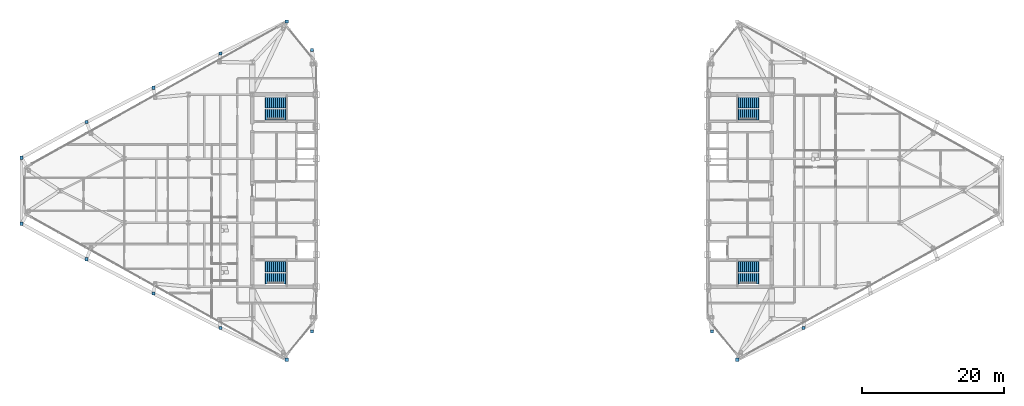
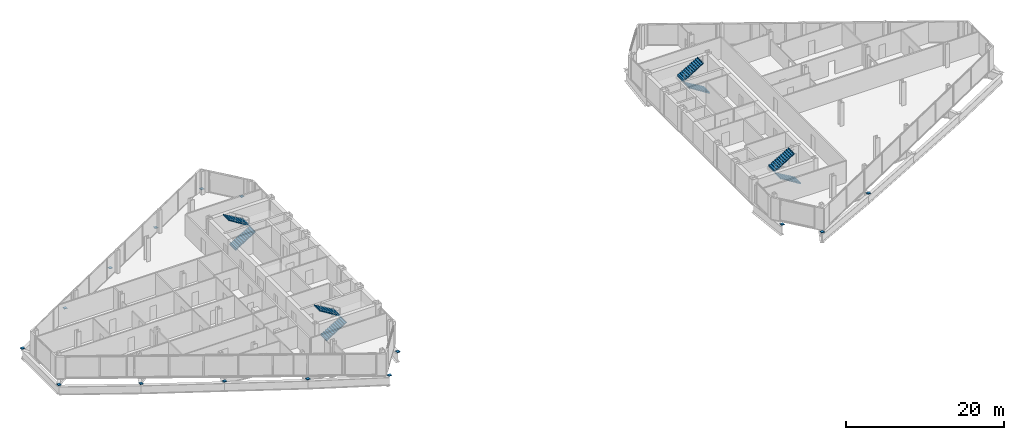
# One storey, part 25 of 28: 15 discrete accessories, 8 stair flights, 4 elements without a shape of their own.
"""IFC4 building model written with IfcOpenShell, lengths in metres."""

from ifc_helpers import new_model, si_unit, direction, frame, origin, origin_2d, place, context, subcontext, project, spatial, polyline, rectangle, outline, extrude, source, transform, mapped, material, type_object, type_shapes, element, aggregate, save


model = new_model("IFC4")

# Units and contexts
model_context = context("Model", 3, precision=1e-05, world=origin(), true_north=direction((0.0, 1.0)))
body_context = subcontext(model_context, "Body", "Model", "MODEL_VIEW")
ifc_project = project(units=[si_unit("LENGTHUNIT", "METRE"), si_unit("AREAUNIT", "SQUARE_METRE"), si_unit("VOLUMEUNIT", "CUBIC_METRE"), si_unit("PLANEANGLEUNIT", "RADIAN"), si_unit("MASSUNIT", "GRAM", prefix="KILO")], contexts=[model_context])

# Site, building, storey
site_placement = place(None, origin())
site = spatial("IfcSite", under=ifc_project, at=site_placement, CompositionType="ELEMENT")
building_placement = place(site_placement, origin())
building = spatial("IfcBuilding", under=site, at=building_placement, Name="Seokmaru Belvedere", CompositionType="ELEMENT")
storey_placement = place(building_placement, frame((0.0, 0.0, 158.39990234375)))
storey = spatial("IfcBuildingStorey", under=building, at=storey_placement, Name="L42", CompositionType="ELEMENT", Elevation=158.39990234375)

# Stair, stair flights
ifc_material_1 = material(Name="Concrete C40 (40 MPa)", Category="concrete")
stair_type = type_object("IfcStairType", Name="Typical Tower Core Dog-Leg Stair 3600", PredefinedType="TWO_STRAIGHT_RUN_STAIR", material=ifc_material_1)
stair_1_placement = place(storey_placement, origin())
stair_1 = element("IfcStair", 1, at=stair_1_placement, inside=storey, type_object=stair_type, Name="L42 Special Escape Stair ST-W1", PredefinedType="TWO_STRAIGHT_RUN_STAIR")
stair_flight_type = type_object("IfcStairFlightType", Name="Reinforced Concrete Stair Flight 1500", PredefinedType="STRAIGHT", material=ifc_material_1)
stair_flight_1_placement = place(storey_placement, frame((-34.60009765625, -12.35009765625, 0.0), z_axis=(0.0, 0.0, 1.0), x_axis=(1.0, 0.0, 0.0)))
stair_flight_1 = element("IfcStairFlight", 2, at=stair_flight_1_placement, type_object=stair_flight_type, Name="ST-W1 flight 1", NumberOfRisers=11, NumberOfTreads=10, PredefinedType="STRAIGHT", RiserHeight=0.163636364, TreadLength=0.28, context=body_context, shape_type="SweptSolid", body=[
    extrude(outline(polyline([(-0.080078125, 0.0), (0.0, 0.16357421875), (0.280029296875, 0.16357421875), (0.280029296875, 0.327392578125), (0.56005859375, 0.327392578125), (0.56005859375, 0.490966796875), (0.840087890625, 0.490966796875), (0.840087890625, 0.654541015625), (1.1201171875, 0.654541015625), (1.1201171875, 0.818115234375), (1.39990234375, 0.818115234375), (1.39990234375, 0.98193359375), (1.679931640625, 0.98193359375), (1.679931640625, 1.1455078125), (1.9599609375, 1.1455078125), (1.9599609375, 1.30908203125), (2.239990234375, 1.30908203125), (2.239990234375, 1.47265625), (2.52001953125, 1.47265625), (2.52001953125, 1.636474609375), (2.800048828125, 1.636474609375), (2.800048828125, 1.800048828125), (2.8798828125, 1.800048828125), (2.8798828125, 1.610107421875), (2.800048828125, 1.610107421875), (0.0, -0.159912109375), (-0.080078125, -0.159912109375), (-0.080078125, 0.0)])), frame((0.0, 0.75, 0.0), z_axis=(0.0, -1.0, 0.0), x_axis=(1.0, 0.0, 0.0)), (0.0, 0.0, 1.0), 1.5),
])
stair_flight_2_placement = place(storey_placement, frame((-31.800048828125, -10.7099609375, 1.800048828125), z_axis=(0.0, 0.0, 1.0), x_axis=(-1.0, 0.0, 0.0)))
stair_flight_2 = element("IfcStairFlight", 3, at=stair_flight_2_placement, type_object=stair_flight_type, Name="ST-W1 flight 2", NumberOfRisers=11, NumberOfTreads=10, PredefinedType="STRAIGHT", RiserHeight=0.163636364, TreadLength=0.28, context=body_context, shape_type="SweptSolid", body=[
    extrude(outline(polyline([(-0.080078125, 0.0), (0.0, 0.16357421875), (0.280029296875, 0.16357421875), (0.280029296875, 0.327392578125), (0.56005859375, 0.327392578125), (0.56005859375, 0.490966796875), (0.840087890625, 0.490966796875), (0.840087890625, 0.654541015625), (1.1201171875, 0.654541015625), (1.1201171875, 0.818115234375), (1.39990234375, 0.818115234375), (1.39990234375, 0.98193359375), (1.679931640625, 0.98193359375), (1.679931640625, 1.1455078125), (1.9599609375, 1.1455078125), (1.9599609375, 1.30908203125), (2.239990234375, 1.30908203125), (2.239990234375, 1.47265625), (2.52001953125, 1.47265625), (2.52001953125, 1.636474609375), (2.800048828125, 1.636474609375), (2.800048828125, 1.800048828125), (2.8798828125, 1.800048828125), (2.8798828125, 1.610107421875), (2.800048828125, 1.610107421875), (0.0, -0.159912109375), (-0.080078125, -0.159912109375), (-0.080078125, 0.0)])), frame((0.0, 0.75, 0.0), z_axis=(0.0, -1.0, 0.0), x_axis=(1.0, 0.0, 0.0)), (0.0, 0.0, 1.0), 1.5),
])
aggregate(stair_1, [stair_flight_1, stair_flight_2])

stair_2_placement = place(storey_placement, origin())
stair_2 = element("IfcStair", 4, at=stair_2_placement, inside=storey, type_object=stair_type, Name="L42 Special Escape Stair ST-W2", PredefinedType="TWO_STRAIGHT_RUN_STAIR")
stair_flight_3_placement = place(storey_placement, frame((-34.60009765625, 10.7099609375, 0.0), z_axis=(0.0, 0.0, 1.0), x_axis=(1.0, 0.0, 0.0)))
stair_flight_3 = element("IfcStairFlight", 5, at=stair_flight_3_placement, type_object=stair_flight_type, Name="ST-W2 flight 1", NumberOfRisers=11, NumberOfTreads=10, PredefinedType="STRAIGHT", RiserHeight=0.163636364, TreadLength=0.28, context=body_context, shape_type="SweptSolid", body=[
    extrude(outline(polyline([(-0.080078125, 0.0), (0.0, 0.16357421875), (0.280029296875, 0.16357421875), (0.280029296875, 0.327392578125), (0.56005859375, 0.327392578125), (0.56005859375, 0.490966796875), (0.840087890625, 0.490966796875), (0.840087890625, 0.654541015625), (1.1201171875, 0.654541015625), (1.1201171875, 0.818115234375), (1.39990234375, 0.818115234375), (1.39990234375, 0.98193359375), (1.679931640625, 0.98193359375), (1.679931640625, 1.1455078125), (1.9599609375, 1.1455078125), (1.9599609375, 1.30908203125), (2.239990234375, 1.30908203125), (2.239990234375, 1.47265625), (2.52001953125, 1.47265625), (2.52001953125, 1.636474609375), (2.800048828125, 1.636474609375), (2.800048828125, 1.800048828125), (2.8798828125, 1.800048828125), (2.8798828125, 1.610107421875), (2.800048828125, 1.610107421875), (0.0, -0.159912109375), (-0.080078125, -0.159912109375), (-0.080078125, 0.0)])), frame((0.0, 0.75, 0.0), z_axis=(0.0, -1.0, 0.0), x_axis=(1.0, 0.0, 0.0)), (0.0, 0.0, 1.0), 1.5),
])
stair_flight_4_placement = place(storey_placement, frame((-31.800048828125, 12.35009765625, 1.800048828125), z_axis=(0.0, 0.0, 1.0), x_axis=(-1.0, 0.0, 0.0)))
stair_flight_4 = element("IfcStairFlight", 6, at=stair_flight_4_placement, type_object=stair_flight_type, Name="ST-W2 flight 2", NumberOfRisers=11, NumberOfTreads=10, PredefinedType="STRAIGHT", RiserHeight=0.163636364, TreadLength=0.28, context=body_context, shape_type="SweptSolid", body=[
    extrude(outline(polyline([(-0.080078125, 0.0), (0.0, 0.16357421875), (0.280029296875, 0.16357421875), (0.280029296875, 0.327392578125), (0.56005859375, 0.327392578125), (0.56005859375, 0.490966796875), (0.840087890625, 0.490966796875), (0.840087890625, 0.654541015625), (1.1201171875, 0.654541015625), (1.1201171875, 0.818115234375), (1.39990234375, 0.818115234375), (1.39990234375, 0.98193359375), (1.679931640625, 0.98193359375), (1.679931640625, 1.1455078125), (1.9599609375, 1.1455078125), (1.9599609375, 1.30908203125), (2.239990234375, 1.30908203125), (2.239990234375, 1.47265625), (2.52001953125, 1.47265625), (2.52001953125, 1.636474609375), (2.800048828125, 1.636474609375), (2.800048828125, 1.800048828125), (2.8798828125, 1.800048828125), (2.8798828125, 1.610107421875), (2.800048828125, 1.610107421875), (0.0, -0.159912109375), (-0.080078125, -0.159912109375), (-0.080078125, 0.0)])), frame((0.0, 0.75, 0.0), z_axis=(0.0, -1.0, 0.0), x_axis=(1.0, 0.0, 0.0)), (0.0, 0.0, 1.0), 1.5),
])
aggregate(stair_2, [stair_flight_3, stair_flight_4])

stair_3_placement = place(storey_placement, origin())
stair_3 = element("IfcStair", 7, at=stair_3_placement, inside=storey, type_object=stair_type, Name="L42 Special Escape Stair ST-E1", PredefinedType="TWO_STRAIGHT_RUN_STAIR")
stair_flight_5_placement = place(storey_placement, frame((34.60009765625, -12.35009765625, 0.0), z_axis=(0.0, 0.0, 1.0), x_axis=(-1.0, 0.0, 0.0)))
stair_flight_5 = element("IfcStairFlight", 8, at=stair_flight_5_placement, type_object=stair_flight_type, Name="ST-E1 flight 1", NumberOfRisers=11, NumberOfTreads=10, PredefinedType="STRAIGHT", RiserHeight=0.163636364, TreadLength=0.28, context=body_context, shape_type="SweptSolid", body=[
    extrude(outline(polyline([(-0.080078125, 0.0), (0.0, 0.16357421875), (0.280029296875, 0.16357421875), (0.280029296875, 0.327392578125), (0.56005859375, 0.327392578125), (0.56005859375, 0.490966796875), (0.840087890625, 0.490966796875), (0.840087890625, 0.654541015625), (1.1201171875, 0.654541015625), (1.1201171875, 0.818115234375), (1.39990234375, 0.818115234375), (1.39990234375, 0.98193359375), (1.679931640625, 0.98193359375), (1.679931640625, 1.1455078125), (1.9599609375, 1.1455078125), (1.9599609375, 1.30908203125), (2.239990234375, 1.30908203125), (2.239990234375, 1.47265625), (2.52001953125, 1.47265625), (2.52001953125, 1.636474609375), (2.800048828125, 1.636474609375), (2.800048828125, 1.800048828125), (2.8798828125, 1.800048828125), (2.8798828125, 1.610107421875), (2.800048828125, 1.610107421875), (0.0, -0.159912109375), (-0.080078125, -0.159912109375), (-0.080078125, 0.0)])), frame((0.0, 0.75, 0.0), z_axis=(0.0, -1.0, 0.0), x_axis=(1.0, 0.0, 0.0)), (0.0, 0.0, 1.0), 1.5),
])
stair_flight_6_placement = place(storey_placement, frame((31.800048828125, -10.7099609375, 1.800048828125), z_axis=(0.0, 0.0, 1.0), x_axis=(1.0, 0.0, 0.0)))
stair_flight_6 = element("IfcStairFlight", 9, at=stair_flight_6_placement, type_object=stair_flight_type, Name="ST-E1 flight 2", NumberOfRisers=11, NumberOfTreads=10, PredefinedType="STRAIGHT", RiserHeight=0.163636364, TreadLength=0.28, context=body_context, shape_type="SweptSolid", body=[
    extrude(outline(polyline([(-0.080078125, 0.0), (0.0, 0.16357421875), (0.280029296875, 0.16357421875), (0.280029296875, 0.327392578125), (0.56005859375, 0.327392578125), (0.56005859375, 0.490966796875), (0.840087890625, 0.490966796875), (0.840087890625, 0.654541015625), (1.1201171875, 0.654541015625), (1.1201171875, 0.818115234375), (1.39990234375, 0.818115234375), (1.39990234375, 0.98193359375), (1.679931640625, 0.98193359375), (1.679931640625, 1.1455078125), (1.9599609375, 1.1455078125), (1.9599609375, 1.30908203125), (2.239990234375, 1.30908203125), (2.239990234375, 1.47265625), (2.52001953125, 1.47265625), (2.52001953125, 1.636474609375), (2.800048828125, 1.636474609375), (2.800048828125, 1.800048828125), (2.8798828125, 1.800048828125), (2.8798828125, 1.610107421875), (2.800048828125, 1.610107421875), (0.0, -0.159912109375), (-0.080078125, -0.159912109375), (-0.080078125, 0.0)])), frame((0.0, 0.75, 0.0), z_axis=(0.0, -1.0, 0.0), x_axis=(1.0, 0.0, 0.0)), (0.0, 0.0, 1.0), 1.5),
])
aggregate(stair_3, [stair_flight_5, stair_flight_6])

stair_4_placement = place(storey_placement, origin())
stair_4 = element("IfcStair", 10, at=stair_4_placement, inside=storey, type_object=stair_type, Name="L42 Special Escape Stair ST-E2", PredefinedType="TWO_STRAIGHT_RUN_STAIR")
stair_flight_7_placement = place(storey_placement, frame((34.60009765625, 10.7099609375, 0.0), z_axis=(0.0, 0.0, 1.0), x_axis=(-1.0, 0.0, 0.0)))
stair_flight_7 = element("IfcStairFlight", 11, at=stair_flight_7_placement, type_object=stair_flight_type, Name="ST-E2 flight 1", NumberOfRisers=11, NumberOfTreads=10, PredefinedType="STRAIGHT", RiserHeight=0.163636364, TreadLength=0.28, context=body_context, shape_type="SweptSolid", body=[
    extrude(outline(polyline([(-0.080078125, 0.0), (0.0, 0.16357421875), (0.280029296875, 0.16357421875), (0.280029296875, 0.327392578125), (0.56005859375, 0.327392578125), (0.56005859375, 0.490966796875), (0.840087890625, 0.490966796875), (0.840087890625, 0.654541015625), (1.1201171875, 0.654541015625), (1.1201171875, 0.818115234375), (1.39990234375, 0.818115234375), (1.39990234375, 0.98193359375), (1.679931640625, 0.98193359375), (1.679931640625, 1.1455078125), (1.9599609375, 1.1455078125), (1.9599609375, 1.30908203125), (2.239990234375, 1.30908203125), (2.239990234375, 1.47265625), (2.52001953125, 1.47265625), (2.52001953125, 1.636474609375), (2.800048828125, 1.636474609375), (2.800048828125, 1.800048828125), (2.8798828125, 1.800048828125), (2.8798828125, 1.610107421875), (2.800048828125, 1.610107421875), (0.0, -0.159912109375), (-0.080078125, -0.159912109375), (-0.080078125, 0.0)])), frame((0.0, 0.75, 0.0), z_axis=(0.0, -1.0, 0.0), x_axis=(1.0, 0.0, 0.0)), (0.0, 0.0, 1.0), 1.5),
])
stair_flight_8_placement = place(storey_placement, frame((31.800048828125, 12.35009765625, 1.800048828125), z_axis=(0.0, 0.0, 1.0), x_axis=(1.0, 0.0, 0.0)))
stair_flight_8 = element("IfcStairFlight", 12, at=stair_flight_8_placement, type_object=stair_flight_type, Name="ST-E2 flight 2", NumberOfRisers=11, NumberOfTreads=10, PredefinedType="STRAIGHT", RiserHeight=0.163636364, TreadLength=0.28, context=body_context, shape_type="SweptSolid", body=[
    extrude(outline(polyline([(-0.080078125, 0.0), (0.0, 0.16357421875), (0.280029296875, 0.16357421875), (0.280029296875, 0.327392578125), (0.56005859375, 0.327392578125), (0.56005859375, 0.490966796875), (0.840087890625, 0.490966796875), (0.840087890625, 0.654541015625), (1.1201171875, 0.654541015625), (1.1201171875, 0.818115234375), (1.39990234375, 0.818115234375), (1.39990234375, 0.98193359375), (1.679931640625, 0.98193359375), (1.679931640625, 1.1455078125), (1.9599609375, 1.1455078125), (1.9599609375, 1.30908203125), (2.239990234375, 1.30908203125), (2.239990234375, 1.47265625), (2.52001953125, 1.47265625), (2.52001953125, 1.636474609375), (2.800048828125, 1.636474609375), (2.800048828125, 1.800048828125), (2.8798828125, 1.800048828125), (2.8798828125, 1.610107421875), (2.800048828125, 1.610107421875), (0.0, -0.159912109375), (-0.080078125, -0.159912109375), (-0.080078125, 0.0)])), frame((0.0, 0.75, 0.0), z_axis=(0.0, -1.0, 0.0), x_axis=(1.0, 0.0, 0.0)), (0.0, 0.0, 1.0), 1.5),
])
aggregate(stair_4, [stair_flight_7, stair_flight_8])

# Discrete accessories
ifc_material_2 = material(Name="Steel SM355 (355 MPa)", Category="steel")
discrete_accessory_type = type_object("IfcDiscreteAccessoryType", Name="End Cap Plate HSS-450x450x18", PredefinedType="USERDEFINED", material=ifc_material_2)
shared_shape = source(origin(), body_context, "Body", "SweptSolid", [
    extrude(rectangle(XDim=0.449951171875, YDim=0.449951171875, at=origin_2d()), origin(), (0.0, 0.0, 1.0), 0.01806640625),
])
type_shapes(discrete_accessory_type, [shared_shape])
for number, where, z_axis, x_axis, name in (
    (13, (-28.10009765625, -19.77197265625, 0.0), (0.0, 0.0, 1.0), (1.0, 0.0, 0.0), "L41 Column WF1 End Cap Plate Top"),
    (14, (-28.10009765625, 19.77197265625, 0.0), (0.0, 0.0, 1.0), (1.0, 0.0, 0.0), "L41 Column WF2 End Cap Plate Top"),
    (15, (-31.6396484375, 23.75390625, 0.0), (0.0, 0.0, 1.0), (1.0, 0.0, 0.0), "L41 Column WF3 End Cap Plate Top"),
    (16, (-68.89990234375, 4.633544921875, 0.0), (0.0, 0.0, 1.0), (1.0, 0.0, 0.0), "L41 Column WF4 End Cap Plate Top"),
    (17, (-68.89990234375, -4.633544921875, 0.0), (0.0, 0.0, 1.0), (1.0, 0.0, 0.0), "L41 Column WF5 End Cap Plate Top"),
    (18, (-31.6396484375, -23.75390625, 0.0), (0.0, 0.0, 1.0), (1.0, 0.0, 0.0), "L41 Column WF6 End Cap Plate Top"),
    (19, (-40.975830078125, -19.277587890625, 0.0), (0.0, 0.0, 1.0), (1.0, 0.0, 0.0), "L41 Column WFLK_S1 End Cap Plate Top"),
    (20, (-50.377197265625, -14.453369140625, 0.0), (0.0, 0.0, 1.0), (1.0, 0.0, 0.0), "L41 Column WFLK_S2 End Cap Plate Top"),
    (21, (-59.778564453125, -9.62890625, 0.0), (0.0, 0.0, 1.0), (1.0, 0.0, 0.0), "L41 Column WFLK_S3 End Cap Plate Top"),
    (22, (-40.975830078125, 19.277587890625, 0.0), (0.0, 0.0, 1.0), (1.0, 0.0, 0.0), "L41 Column WFLK_N1 End Cap Plate Top"),
    (23, (-50.377197265625, 14.453369140625, 0.0), (0.0, 0.0, 1.0), (1.0, 0.0, 0.0), "L41 Column WFLK_N2 End Cap Plate Top"),
    (24, (-59.778564453125, 9.62890625, 0.0), (0.0, 0.0, 1.0), (1.0, 0.0, 0.0), "L41 Column WFLK_N3 End Cap Plate Top"),
    (25, (31.6396484375, -23.75390625, 0.0), (0.0, 0.0, 1.0), (1.0, 0.0, 0.0), "L41 Column EF1 End Cap Plate Top"),
    (26, (28.10009765625, -19.77197265625, 0.0), (0.0, 0.0, 1.0), (1.0, 0.0, 0.0), "L41 Column EF6 End Cap Plate Top"),
    (27, (40.975830078125, -19.277587890625, 0.0), (0.0, 0.0, 1.0), (1.0, 0.0, 0.0), "L41 Column EFLK_S1 End Cap Plate Top"),
):
    element("IfcDiscreteAccessory", number, at=place(storey_placement, frame(where, z_axis=z_axis, x_axis=x_axis)), inside=storey, type_object=discrete_accessory_type, Name=name, ObjectType="END_CAP_PLATE", PredefinedType="USERDEFINED", context=body_context, shape_type="MappedRepresentation", body=[
        mapped(shared_shape, transform((0.0, 0.0, 0.0), scale=1.0)),
    ])

save(model, "model.ifc")
